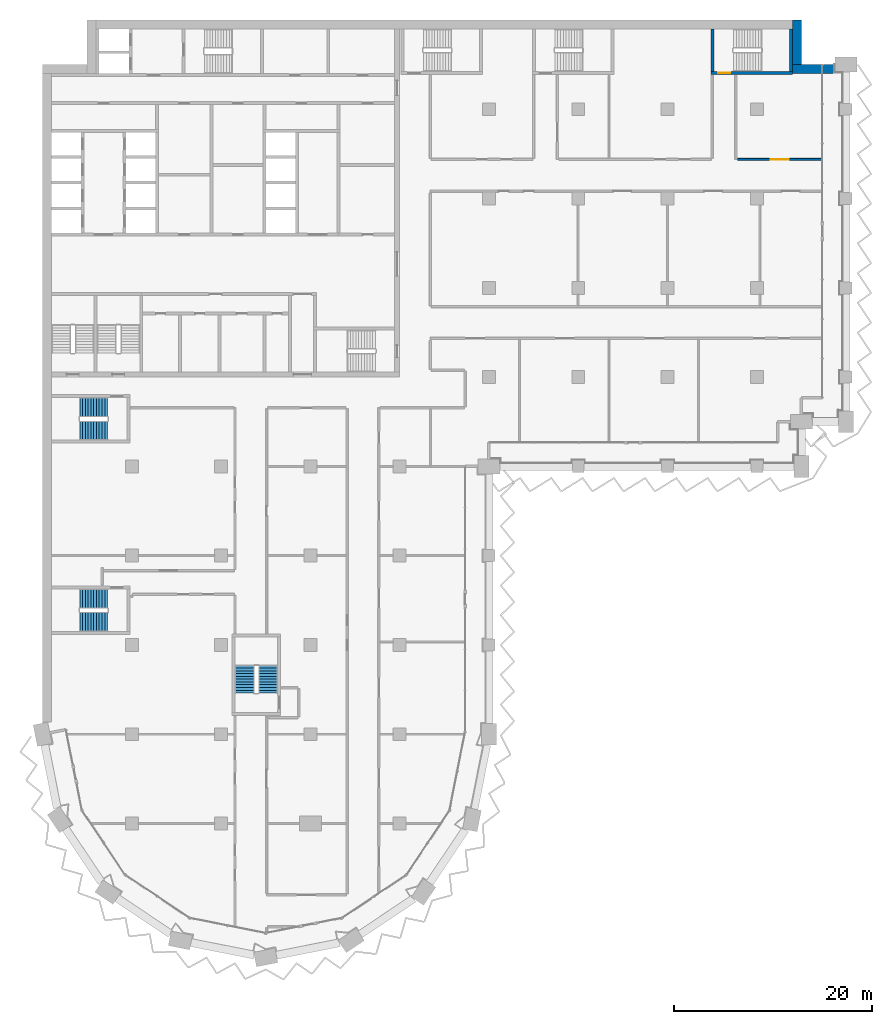
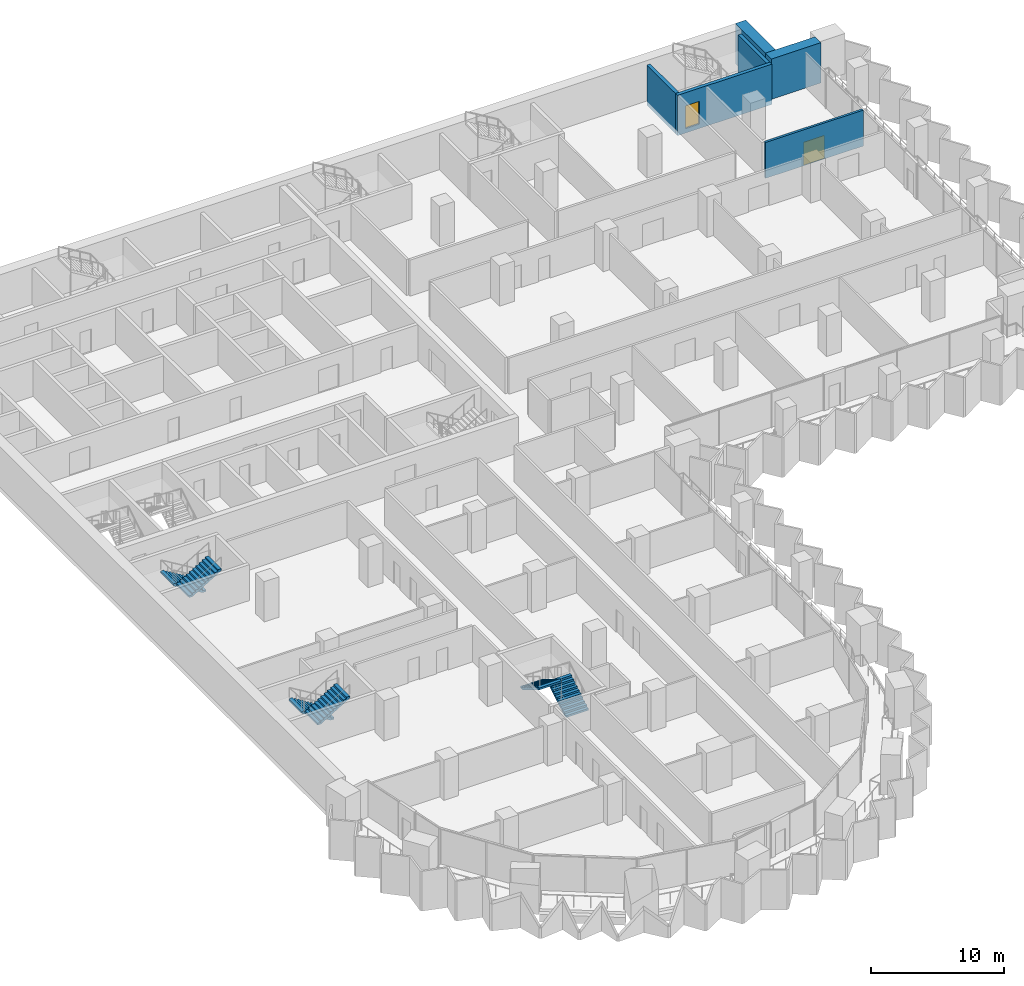
# One storey, part 15 of 22: 6 stair flights, 6 walls, 2 doors, 2 openings, 3 elements without a shape of their own.
"""IFC4 building model written with IfcOpenShell, lengths in metres."""

from ifc_helpers import new_model, si_unit, direction, frame, frame_2d, origin, place, context, subcontext, project, spatial, polyline, rectangle, outline, extrude, material, layer, layer_set, type_object, element, fill, aggregate, save


model = new_model("IFC4")

# Units and contexts
model_context = context("Model", 3, precision=1e-05, world=origin(), true_north=direction((0.0, 1.0)))
body_context = subcontext(model_context, "Body", "Model", "MODEL_VIEW")
ifc_project = project(units=[si_unit("LENGTHUNIT", "METRE"), si_unit("AREAUNIT", "SQUARE_METRE"), si_unit("VOLUMEUNIT", "CUBIC_METRE"), si_unit("PLANEANGLEUNIT", "RADIAN"), si_unit("MASSUNIT", "GRAM", prefix="KILO")], contexts=[model_context])

# Site, building, storey
site_placement = place(None, origin())
site = spatial("IfcSite", under=ifc_project, at=site_placement, CompositionType="ELEMENT")
building_placement = place(site_placement, origin())
building = spatial("IfcBuilding", under=site, at=building_placement, Name="Hunhe Ridgeline Campus", CompositionType="ELEMENT")
storey_placement = place(building_placement, frame((0.0, 0.0, 88.5)))
storey = spatial("IfcBuildingStorey", under=building, at=storey_placement, Name="L21", CompositionType="ELEMENT", Elevation=88.5)

# Wall, opening, door
ifc_material_1 = material(Name="Gypsum board partition")
ifc_layer_1 = layer(ifc_material_1, 0.199951171875)
ifc_layer_set_1 = layer_set([ifc_layer_1], Name="Corridor partition 200 gypsum board on steel studs")
wall_type_1 = type_object("IfcWallType", Name="Corridor partition 200 gypsum board on steel studs", PredefinedType="PARTITIONING", material=ifc_layer_set_1)
wall_1_placement = place(storey_placement, frame((70.056884765625, 84.949951171875, 0.0), z_axis=(0.0, 0.0, 1.0), x_axis=(1.0, 0.0, 0.0)))
wall_1 = element("IfcWall", 1, at=wall_1_placement, inside=storey, type_object=wall_type_1, Name="F-L21-wall-043", PredefinedType="PARTITIONING", context=body_context, shape_type="SweptSolid", body=[
    extrude(rectangle(XDim=8.488037109375, YDim=0.199951171875, at=frame_2d((4.244140625, 0.0))), origin(), (0.0, 0.0, 1.0), 3.300048828125),
])
opening_1_placement = place(wall_1_placement, frame((3.343994140625, 0.0, 0.0)))
opening_1 = element("IfcOpeningElement", 2, at=opening_1_placement, cuts=wall_1, Name="Opening RD2-036", PredefinedType="OPENING", context=body_context, shape_type="SweptSolid", body=[
    extrude(rectangle(XDim=1.800048828125, YDim=2.10009765625, at=frame_2d((0.89990234375, 1.050048828125))), frame((0.0, 0.10009765625, 0.0), z_axis=(0.0, -1.0, 0.0), x_axis=(1.0, 0.0, 0.0)), (0.0, 0.0, 1.0), 0.199951171875),
])
ifc_material_2 = material(Name="Timber door leaf", Category="wood")
door_type_1 = type_object("IfcDoorType", Name="Double fire door 1800x2100 timber FD60", OperationType="DOUBLE_DOOR_SINGLE_SWING", PredefinedType="DOOR", material=ifc_material_2)
door_1_placement = place(opening_1_placement, origin())
door_1 = element("IfcDoor", 3, at=door_1_placement, inside=storey, type_object=door_type_1, Name="F-L21-door-036", OperationType="DOUBLE_DOOR_SINGLE_SWING", OverallHeight=2.10009765625, OverallWidth=1.800048828125, PredefinedType="DOOR", context=body_context, shape_type="SweptSolid", body=[
    extrude(rectangle(XDim=1.800048828125, YDim=2.10009765625, at=frame_2d((0.89990234375, 1.050048828125))), frame((0.0, 0.02490234375, 0.0), z_axis=(0.0, -1.0, 0.0), x_axis=(1.0, 0.0, 0.0)), (0.0, 0.0, 1.0), 0.050048828125),
])
fill(opening_1, door_1)

# Walls
ifc_material_3 = material(Name="Concrete C70", Category="concrete")
ifc_layer_2 = layer(ifc_material_3, 0.89990234375)
ifc_layer_set_2 = layer_set([ifc_layer_2], Name="Spine wall 900 Concrete C70")
wall_type_2 = type_object("IfcWallType", Name="Spine wall 900 Concrete C70", PredefinedType="SHEAR", material=ifc_layer_set_2)
wall_2_placement = place(storey_placement, frame((79.89990234375, 94.050048828125, 0.0), z_axis=(0.0, 0.0, 1.0), x_axis=(-1.0, 0.0, 0.0)))
element("IfcWall", 4, at=wall_2_placement, inside=storey, type_object=wall_type_2, Name="Spine wall SW2-2 L21", PredefinedType="SHEAR", context=body_context, shape_type="SweptSolid", body=[
    extrude(rectangle(XDim=4.30029296875, YDim=0.89990234375, at=frame_2d((2.150146484375, 0.0))), origin(), (0.0, 0.0, 1.0), 3.699951171875),
])
wall_3_placement = place(storey_placement, frame((76.050048828125, 93.60009765625, 0.0), z_axis=(0.0, 0.0, 1.0), x_axis=(0.0, 1.0, 0.0)))
element("IfcWall", 5, at=wall_3_placement, inside=storey, type_object=wall_type_2, Name="Spine wall SW2-3 L21", PredefinedType="SHEAR", context=body_context, shape_type="SweptSolid", body=[
    extrude(rectangle(XDim=5.39990234375, YDim=0.89990234375, at=frame_2d((2.699951171875, 0.0))), origin(), (0.0, 0.0, 1.0), 3.699951171875),
])

# Wall, opening, door
ifc_material_4 = material(Name="Concrete C80", Category="concrete")
ifc_layer_3 = layer(ifc_material_4, 0.300048828125)
ifc_layer_set_3 = layer_set([ifc_layer_3], Name="Stair wall 300 reinforced concrete C80")
wall_type_3 = type_object("IfcWallType", Name="Stair wall 300 reinforced concrete C80", PredefinedType="SOLIDWALL", material=ifc_layer_set_3)
wall_4_placement = place(storey_placement, frame((67.39990234375, 93.64990234375, -0.39990234375), z_axis=(0.0, 0.0, 1.0), x_axis=(1.0, 0.0, 0.0)))
wall_4 = element("IfcWall", 6, at=wall_4_placement, inside=storey, type_object=wall_type_3, Name="L21 core wall 32", PredefinedType="SOLIDWALL", context=body_context, shape_type="SweptSolid", body=[
    extrude(rectangle(XDim=8.2001953125, YDim=0.300048828125, at=frame_2d((4.10009765625, 0.0))), origin(), (0.0, 0.0, 1.0), 3.699951171875),
])
opening_2_placement = place(wall_4_placement, frame((0.699951171875, 0.0, 0.39990234375)))
opening_2 = element("IfcOpeningElement", 7, at=opening_2_placement, cuts=wall_4, Name="Opening CD19", PredefinedType="OPENING", context=body_context, shape_type="SweptSolid", body=[
    extrude(rectangle(XDim=1.199951171875, YDim=2.10009765625, at=frame_2d((0.60009765625, 1.050048828125))), frame((0.0, 0.14990234375, 0.0), z_axis=(0.0, -1.0, 0.0), x_axis=(1.0, 0.0, 0.0)), (0.0, 0.0, 1.0), 0.300048828125),
])
ifc_material_5 = material(Name="Hollow metal fire door leaf")
door_type_2 = type_object("IfcDoorType", Name="Stair door 1200x2100 FD60", OperationType="SINGLE_SWING_LEFT", PredefinedType="DOOR", material=ifc_material_5)
door_2_placement = place(opening_2_placement, frame((1.199951171875, 0.0, 0.0), z_axis=(0.0, 0.0, 1.0), x_axis=(-1.0, 0.0, 0.0)))
door_2 = element("IfcDoor", 8, at=door_2_placement, inside=storey, type_object=door_type_2, Name="L21 door E3", OperationType="SINGLE_SWING_RIGHT", OverallHeight=2.10009765625, OverallWidth=1.199951171875, PredefinedType="DOOR", context=body_context, shape_type="SweptSolid", body=[
    extrude(rectangle(XDim=1.199951171875, YDim=2.10009765625, at=frame_2d((0.60009765625, 1.050048828125))), frame((0.0, 0.02490234375, 0.0), z_axis=(0.0, -1.0, 0.0), x_axis=(1.0, 0.0, 0.0)), (0.0, 0.0, 1.0), 0.050048828125),
])
fill(opening_2, door_2)

# Walls
for number, where, z_axis, x_axis, name in (
    (9, (67.550048828125, 93.800048828125, -0.39990234375), (0.0, 0.0, 1.0), (0.0, 1.0, 0.0), "L21 core wall 66"),
    (10, (75.449951171875, 93.800048828125, -0.39990234375), (0.0, 0.0, 1.0), (0.0, 1.0, 0.0), "L21 core wall 67"),
):
    element("IfcWall", number, at=place(storey_placement, frame(where, z_axis=z_axis, x_axis=x_axis)), inside=storey, type_object=wall_type_3, Name=name, PredefinedType="SOLIDWALL", context=body_context, shape_type="SweptSolid", body=[
        extrude(rectangle(XDim=4.300048828125, YDim=0.300048828125, at=frame_2d((2.14990234375, 0.0))), origin(), (0.0, 0.0, 1.0), 3.699951171875),
    ])

# Stair, stair flights
ifc_material_6 = material(Name="Concrete C40", Category="concrete")
stair_type = type_object("IfcStairType", Name="Reinforced concrete dog-leg stair 1950 Concrete C40", PredefinedType="HALF_TURN_STAIR", material=ifc_material_6)
stair_1_placement = place(storey_placement, origin())
stair_1 = element("IfcStair", 11, at=stair_1_placement, inside=storey, type_object=stair_type, Name="L21 W3", PredefinedType="HALF_TURN_STAIR")
stair_flight_type = type_object("IfcStairFlightType", Name="Reinforced concrete stair flight 1950 Concrete C40", PredefinedType="STRAIGHT", material=ifc_material_6)
stair_flight_1_placement = place(storey_placement, frame((22.72509765625, 31.14990234375, 0.0), z_axis=(0.0, 0.0, 1.0), x_axis=(0.0, 1.0, 0.0)))
stair_flight_1 = element("IfcStairFlight", 12, at=stair_flight_1_placement, type_object=stair_flight_type, Name="ST9 flight 1", NumberOfRisers=11, NumberOfTreads=10, PredefinedType="STRAIGHT", RiserHeight=0.168181818, TreadLength=0.28, context=body_context, shape_type="SweptSolid", body=[
    extrude(outline(polyline([(0.0, 0.0), (0.0, 0.168212890625), (0.280029296875, 0.168212890625), (0.280029296875, 0.33642578125), (0.56005859375, 0.33642578125), (0.56005859375, 0.504638671875), (0.840087890625, 0.504638671875), (0.840087890625, 0.672607421875), (1.1201171875, 0.672607421875), (1.1201171875, 0.8408203125), (1.39990234375, 0.8408203125), (1.39990234375, 1.009033203125), (1.679931640625, 1.009033203125), (1.679931640625, 1.17724609375), (1.9599609375, 1.17724609375), (1.9599609375, 1.345458984375), (2.239990234375, 1.345458984375), (2.239990234375, 1.513671875), (2.52001953125, 1.513671875), (2.52001953125, 1.681884765625), (2.800048828125, 1.681884765625), (2.800048828125, 1.85009765625), (2.800048828125, 1.5068359375), (0.291015625, 0.0), (0.0, 0.0)])), frame((0.0, 0.97509765625, 0.0), z_axis=(0.0, -1.0, 0.0), x_axis=(1.0, 0.0, 0.0)), (0.0, 0.0, 1.0), 1.949951171875),
    extrude(outline(polyline([(0.030029296875, 0.030029296875), (0.030029296875, 0.13818359375), (0.31005859375, 0.13818359375), (0.31005859375, 0.306396484375), (0.590087890625, 0.306396484375), (0.590087890625, 0.474609375), (0.8701171875, 0.474609375), (0.8701171875, 0.642578125), (1.14990234375, 0.642578125), (1.14990234375, 0.810791015625), (1.429931640625, 0.810791015625), (1.429931640625, 0.97900390625), (1.7099609375, 0.97900390625), (1.7099609375, 1.147216796875), (1.989990234375, 1.147216796875), (1.989990234375, 1.3154296875), (2.27001953125, 1.3154296875), (2.27001953125, 1.483642578125), (2.550048828125, 1.483642578125), (2.550048828125, 1.65185546875), (2.77001953125, 1.65185546875), (2.77001953125, 1.52392578125), (0.28271484375, 0.030029296875), (0.030029296875, 0.030029296875)])), frame((0.0, -0.070068359375, 0.0), z_axis=(0.0, -1.0, 0.0), x_axis=(1.0, 0.0, 0.0)), (0.0, 0.0, 1.0), 0.019775390625),
    extrude(outline(polyline([(0.030029296875, 0.030029296875), (0.030029296875, 0.13818359375), (0.31005859375, 0.13818359375), (0.31005859375, 0.306396484375), (0.590087890625, 0.306396484375), (0.590087890625, 0.474609375), (0.8701171875, 0.474609375), (0.8701171875, 0.642578125), (1.14990234375, 0.642578125), (1.14990234375, 0.810791015625), (1.429931640625, 0.810791015625), (1.429931640625, 0.97900390625), (1.7099609375, 0.97900390625), (1.7099609375, 1.147216796875), (1.989990234375, 1.147216796875), (1.989990234375, 1.3154296875), (2.27001953125, 1.3154296875), (2.27001953125, 1.483642578125), (2.550048828125, 1.483642578125), (2.550048828125, 1.65185546875), (2.77001953125, 1.65185546875), (2.77001953125, 1.52392578125), (0.28271484375, 0.030029296875), (0.030029296875, 0.030029296875)])), frame((0.0, 0.010009765625, 0.0), z_axis=(0.0, -1.0, 0.0), x_axis=(1.0, 0.0, 0.0)), (0.0, 0.0, 1.0), 0.019775390625),
    extrude(outline(polyline([(0.030029296875, 0.030029296875), (0.030029296875, 0.13818359375), (0.31005859375, 0.13818359375), (0.31005859375, 0.306396484375), (0.590087890625, 0.306396484375), (0.590087890625, 0.474609375), (0.8701171875, 0.474609375), (0.8701171875, 0.642578125), (1.14990234375, 0.642578125), (1.14990234375, 0.810791015625), (1.429931640625, 0.810791015625), (1.429931640625, 0.97900390625), (1.7099609375, 0.97900390625), (1.7099609375, 1.147216796875), (1.989990234375, 1.147216796875), (1.989990234375, 1.3154296875), (2.27001953125, 1.3154296875), (2.27001953125, 1.483642578125), (2.550048828125, 1.483642578125), (2.550048828125, 1.65185546875), (2.77001953125, 1.65185546875), (2.77001953125, 1.52392578125), (0.28271484375, 0.030029296875), (0.030029296875, 0.030029296875)])), frame((0.0, 0.090087890625, 0.0), z_axis=(0.0, -1.0, 0.0), x_axis=(1.0, 0.0, 0.0)), (0.0, 0.0, 1.0), 0.019775390625),
])
stair_flight_2_placement = place(storey_placement, frame((20.375, 33.949951171875, 1.85009765625), z_axis=(0.0, 0.0, 1.0), x_axis=(0.0, -1.0, 0.0)))
stair_flight_2 = element("IfcStairFlight", 13, at=stair_flight_2_placement, type_object=stair_flight_type, Name="ST9 flight 2", NumberOfRisers=11, NumberOfTreads=10, PredefinedType="STRAIGHT", RiserHeight=0.168181818, TreadLength=0.28, context=body_context, shape_type="SweptSolid", body=[
    extrude(outline(polyline([(0.0, 0.0), (0.0, 0.168212890625), (0.280029296875, 0.168212890625), (0.280029296875, 0.33642578125), (0.56005859375, 0.33642578125), (0.56005859375, 0.504638671875), (0.840087890625, 0.504638671875), (0.840087890625, 0.672607421875), (1.1201171875, 0.672607421875), (1.1201171875, 0.8408203125), (1.39990234375, 0.8408203125), (1.39990234375, 1.009033203125), (1.679931640625, 1.009033203125), (1.679931640625, 1.17724609375), (1.9599609375, 1.17724609375), (1.9599609375, 1.345458984375), (2.239990234375, 1.345458984375), (2.239990234375, 1.513671875), (2.52001953125, 1.513671875), (2.52001953125, 1.681884765625), (2.800048828125, 1.681884765625), (2.800048828125, 1.85009765625), (2.800048828125, 1.5068359375), (0.291015625, 0.0), (0.0, 0.0)])), frame((0.0, 0.97509765625, 0.0), z_axis=(0.0, -1.0, 0.0), x_axis=(1.0, 0.0, 0.0)), (0.0, 0.0, 1.0), 1.949951171875),
    extrude(outline(polyline([(0.030029296875, 0.030029296875), (0.030029296875, 0.13818359375), (0.31005859375, 0.13818359375), (0.31005859375, 0.306396484375), (0.590087890625, 0.306396484375), (0.590087890625, 0.474609375), (0.8701171875, 0.474609375), (0.8701171875, 0.642578125), (1.14990234375, 0.642578125), (1.14990234375, 0.810791015625), (1.429931640625, 0.810791015625), (1.429931640625, 0.97900390625), (1.7099609375, 0.97900390625), (1.7099609375, 1.147216796875), (1.989990234375, 1.147216796875), (1.989990234375, 1.3154296875), (2.27001953125, 1.3154296875), (2.27001953125, 1.483642578125), (2.550048828125, 1.483642578125), (2.550048828125, 1.65185546875), (2.77001953125, 1.65185546875), (2.77001953125, 1.52392578125), (0.28271484375, 0.030029296875), (0.030029296875, 0.030029296875)])), frame((0.0, -0.070068359375, 0.0), z_axis=(0.0, -1.0, 0.0), x_axis=(1.0, 0.0, 0.0)), (0.0, 0.0, 1.0), 0.019775390625),
    extrude(outline(polyline([(0.030029296875, 0.030029296875), (0.030029296875, 0.13818359375), (0.31005859375, 0.13818359375), (0.31005859375, 0.306396484375), (0.590087890625, 0.306396484375), (0.590087890625, 0.474609375), (0.8701171875, 0.474609375), (0.8701171875, 0.642578125), (1.14990234375, 0.642578125), (1.14990234375, 0.810791015625), (1.429931640625, 0.810791015625), (1.429931640625, 0.97900390625), (1.7099609375, 0.97900390625), (1.7099609375, 1.147216796875), (1.989990234375, 1.147216796875), (1.989990234375, 1.3154296875), (2.27001953125, 1.3154296875), (2.27001953125, 1.483642578125), (2.550048828125, 1.483642578125), (2.550048828125, 1.65185546875), (2.77001953125, 1.65185546875), (2.77001953125, 1.52392578125), (0.28271484375, 0.030029296875), (0.030029296875, 0.030029296875)])), frame((0.0, 0.010009765625, 0.0), z_axis=(0.0, -1.0, 0.0), x_axis=(1.0, 0.0, 0.0)), (0.0, 0.0, 1.0), 0.019775390625),
    extrude(outline(polyline([(0.030029296875, 0.030029296875), (0.030029296875, 0.13818359375), (0.31005859375, 0.13818359375), (0.31005859375, 0.306396484375), (0.590087890625, 0.306396484375), (0.590087890625, 0.474609375), (0.8701171875, 0.474609375), (0.8701171875, 0.642578125), (1.14990234375, 0.642578125), (1.14990234375, 0.810791015625), (1.429931640625, 0.810791015625), (1.429931640625, 0.97900390625), (1.7099609375, 0.97900390625), (1.7099609375, 1.147216796875), (1.989990234375, 1.147216796875), (1.989990234375, 1.3154296875), (2.27001953125, 1.3154296875), (2.27001953125, 1.483642578125), (2.550048828125, 1.483642578125), (2.550048828125, 1.65185546875), (2.77001953125, 1.65185546875), (2.77001953125, 1.52392578125), (0.28271484375, 0.030029296875), (0.030029296875, 0.030029296875)])), frame((0.0, 0.090087890625, 0.0), z_axis=(0.0, -1.0, 0.0), x_axis=(1.0, 0.0, 0.0)), (0.0, 0.0, 1.0), 0.019775390625),
])
aggregate(stair_1, [stair_flight_1, stair_flight_2])

stair_2_placement = place(storey_placement, origin())
stair_2 = element("IfcStair", 14, at=stair_2_placement, inside=storey, type_object=stair_type, Name="L21 W1", PredefinedType="HALF_TURN_STAIR")
stair_flight_3_placement = place(storey_placement, frame((6.550048828125, 40.675048828125, 0.0), z_axis=(0.0, 0.0, 1.0), x_axis=(-1.0, 0.0, 0.0)))
stair_flight_3 = element("IfcStairFlight", 15, at=stair_flight_3_placement, type_object=stair_flight_type, Name="ST11 flight 1", NumberOfRisers=11, NumberOfTreads=10, PredefinedType="STRAIGHT", RiserHeight=0.168181818, TreadLength=0.28, context=body_context, shape_type="SweptSolid", body=[
    extrude(outline(polyline([(0.0, 0.0), (0.0, 0.168212890625), (0.280029296875, 0.168212890625), (0.280029296875, 0.33642578125), (0.56005859375, 0.33642578125), (0.56005859375, 0.504638671875), (0.840087890625, 0.504638671875), (0.840087890625, 0.672607421875), (1.1201171875, 0.672607421875), (1.1201171875, 0.8408203125), (1.39990234375, 0.8408203125), (1.39990234375, 1.009033203125), (1.679931640625, 1.009033203125), (1.679931640625, 1.17724609375), (1.9599609375, 1.17724609375), (1.9599609375, 1.345458984375), (2.239990234375, 1.345458984375), (2.239990234375, 1.513671875), (2.52001953125, 1.513671875), (2.52001953125, 1.681884765625), (2.800048828125, 1.681884765625), (2.800048828125, 1.85009765625), (2.800048828125, 1.5068359375), (0.291015625, 0.0), (0.0, 0.0)])), frame((0.0, 0.97509765625, 0.0), z_axis=(0.0, -1.0, 0.0), x_axis=(1.0, 0.0, 0.0)), (0.0, 0.0, 1.0), 1.949951171875),
    extrude(outline(polyline([(0.030029296875, 0.030029296875), (0.030029296875, 0.13818359375), (0.31005859375, 0.13818359375), (0.31005859375, 0.306396484375), (0.590087890625, 0.306396484375), (0.590087890625, 0.474609375), (0.8701171875, 0.474609375), (0.8701171875, 0.642578125), (1.14990234375, 0.642578125), (1.14990234375, 0.810791015625), (1.429931640625, 0.810791015625), (1.429931640625, 0.97900390625), (1.7099609375, 0.97900390625), (1.7099609375, 1.147216796875), (1.989990234375, 1.147216796875), (1.989990234375, 1.3154296875), (2.27001953125, 1.3154296875), (2.27001953125, 1.483642578125), (2.550048828125, 1.483642578125), (2.550048828125, 1.65185546875), (2.77001953125, 1.65185546875), (2.77001953125, 1.52392578125), (0.28271484375, 0.030029296875), (0.030029296875, 0.030029296875)])), frame((0.0, -0.070068359375, 0.0), z_axis=(0.0, -1.0, 0.0), x_axis=(1.0, 0.0, 0.0)), (0.0, 0.0, 1.0), 0.019775390625),
    extrude(outline(polyline([(0.030029296875, 0.030029296875), (0.030029296875, 0.13818359375), (0.31005859375, 0.13818359375), (0.31005859375, 0.306396484375), (0.590087890625, 0.306396484375), (0.590087890625, 0.474609375), (0.8701171875, 0.474609375), (0.8701171875, 0.642578125), (1.14990234375, 0.642578125), (1.14990234375, 0.810791015625), (1.429931640625, 0.810791015625), (1.429931640625, 0.97900390625), (1.7099609375, 0.97900390625), (1.7099609375, 1.147216796875), (1.989990234375, 1.147216796875), (1.989990234375, 1.3154296875), (2.27001953125, 1.3154296875), (2.27001953125, 1.483642578125), (2.550048828125, 1.483642578125), (2.550048828125, 1.65185546875), (2.77001953125, 1.65185546875), (2.77001953125, 1.52392578125), (0.28271484375, 0.030029296875), (0.030029296875, 0.030029296875)])), frame((0.0, 0.010009765625, 0.0), z_axis=(0.0, -1.0, 0.0), x_axis=(1.0, 0.0, 0.0)), (0.0, 0.0, 1.0), 0.019775390625),
    extrude(outline(polyline([(0.030029296875, 0.030029296875), (0.030029296875, 0.13818359375), (0.31005859375, 0.13818359375), (0.31005859375, 0.306396484375), (0.590087890625, 0.306396484375), (0.590087890625, 0.474609375), (0.8701171875, 0.474609375), (0.8701171875, 0.642578125), (1.14990234375, 0.642578125), (1.14990234375, 0.810791015625), (1.429931640625, 0.810791015625), (1.429931640625, 0.97900390625), (1.7099609375, 0.97900390625), (1.7099609375, 1.147216796875), (1.989990234375, 1.147216796875), (1.989990234375, 1.3154296875), (2.27001953125, 1.3154296875), (2.27001953125, 1.483642578125), (2.550048828125, 1.483642578125), (2.550048828125, 1.65185546875), (2.77001953125, 1.65185546875), (2.77001953125, 1.52392578125), (0.28271484375, 0.030029296875), (0.030029296875, 0.030029296875)])), frame((0.0, 0.090087890625, 0.0), z_axis=(0.0, -1.0, 0.0), x_axis=(1.0, 0.0, 0.0)), (0.0, 0.0, 1.0), 0.019775390625),
])
stair_flight_4_placement = place(storey_placement, frame((3.75, 38.324951171875, 1.85009765625), z_axis=(0.0, 0.0, 1.0), x_axis=(1.0, 0.0, 0.0)))
stair_flight_4 = element("IfcStairFlight", 16, at=stair_flight_4_placement, type_object=stair_flight_type, Name="ST11 flight 2", NumberOfRisers=11, NumberOfTreads=10, PredefinedType="STRAIGHT", RiserHeight=0.168181818, TreadLength=0.28, context=body_context, shape_type="SweptSolid", body=[
    extrude(outline(polyline([(0.0, 0.0), (0.0, 0.168212890625), (0.280029296875, 0.168212890625), (0.280029296875, 0.33642578125), (0.56005859375, 0.33642578125), (0.56005859375, 0.504638671875), (0.840087890625, 0.504638671875), (0.840087890625, 0.672607421875), (1.1201171875, 0.672607421875), (1.1201171875, 0.8408203125), (1.39990234375, 0.8408203125), (1.39990234375, 1.009033203125), (1.679931640625, 1.009033203125), (1.679931640625, 1.17724609375), (1.9599609375, 1.17724609375), (1.9599609375, 1.345458984375), (2.239990234375, 1.345458984375), (2.239990234375, 1.513671875), (2.52001953125, 1.513671875), (2.52001953125, 1.681884765625), (2.800048828125, 1.681884765625), (2.800048828125, 1.85009765625), (2.800048828125, 1.5068359375), (0.291015625, 0.0), (0.0, 0.0)])), frame((0.0, 0.97509765625, 0.0), z_axis=(0.0, -1.0, 0.0), x_axis=(1.0, 0.0, 0.0)), (0.0, 0.0, 1.0), 1.949951171875),
    extrude(outline(polyline([(0.030029296875, 0.030029296875), (0.030029296875, 0.13818359375), (0.31005859375, 0.13818359375), (0.31005859375, 0.306396484375), (0.590087890625, 0.306396484375), (0.590087890625, 0.474609375), (0.8701171875, 0.474609375), (0.8701171875, 0.642578125), (1.14990234375, 0.642578125), (1.14990234375, 0.810791015625), (1.429931640625, 0.810791015625), (1.429931640625, 0.97900390625), (1.7099609375, 0.97900390625), (1.7099609375, 1.147216796875), (1.989990234375, 1.147216796875), (1.989990234375, 1.3154296875), (2.27001953125, 1.3154296875), (2.27001953125, 1.483642578125), (2.550048828125, 1.483642578125), (2.550048828125, 1.65185546875), (2.77001953125, 1.65185546875), (2.77001953125, 1.52392578125), (0.28271484375, 0.030029296875), (0.030029296875, 0.030029296875)])), frame((0.0, -0.070068359375, 0.0), z_axis=(0.0, -1.0, 0.0), x_axis=(1.0, 0.0, 0.0)), (0.0, 0.0, 1.0), 0.019775390625),
    extrude(outline(polyline([(0.030029296875, 0.030029296875), (0.030029296875, 0.13818359375), (0.31005859375, 0.13818359375), (0.31005859375, 0.306396484375), (0.590087890625, 0.306396484375), (0.590087890625, 0.474609375), (0.8701171875, 0.474609375), (0.8701171875, 0.642578125), (1.14990234375, 0.642578125), (1.14990234375, 0.810791015625), (1.429931640625, 0.810791015625), (1.429931640625, 0.97900390625), (1.7099609375, 0.97900390625), (1.7099609375, 1.147216796875), (1.989990234375, 1.147216796875), (1.989990234375, 1.3154296875), (2.27001953125, 1.3154296875), (2.27001953125, 1.483642578125), (2.550048828125, 1.483642578125), (2.550048828125, 1.65185546875), (2.77001953125, 1.65185546875), (2.77001953125, 1.52392578125), (0.28271484375, 0.030029296875), (0.030029296875, 0.030029296875)])), frame((0.0, 0.010009765625, 0.0), z_axis=(0.0, -1.0, 0.0), x_axis=(1.0, 0.0, 0.0)), (0.0, 0.0, 1.0), 0.019775390625),
    extrude(outline(polyline([(0.030029296875, 0.030029296875), (0.030029296875, 0.13818359375), (0.31005859375, 0.13818359375), (0.31005859375, 0.306396484375), (0.590087890625, 0.306396484375), (0.590087890625, 0.474609375), (0.8701171875, 0.474609375), (0.8701171875, 0.642578125), (1.14990234375, 0.642578125), (1.14990234375, 0.810791015625), (1.429931640625, 0.810791015625), (1.429931640625, 0.97900390625), (1.7099609375, 0.97900390625), (1.7099609375, 1.147216796875), (1.989990234375, 1.147216796875), (1.989990234375, 1.3154296875), (2.27001953125, 1.3154296875), (2.27001953125, 1.483642578125), (2.550048828125, 1.483642578125), (2.550048828125, 1.65185546875), (2.77001953125, 1.65185546875), (2.77001953125, 1.52392578125), (0.28271484375, 0.030029296875), (0.030029296875, 0.030029296875)])), frame((0.0, 0.090087890625, 0.0), z_axis=(0.0, -1.0, 0.0), x_axis=(1.0, 0.0, 0.0)), (0.0, 0.0, 1.0), 0.019775390625),
])
aggregate(stair_2, [stair_flight_3, stair_flight_4])

stair_3_placement = place(storey_placement, origin())
stair_3 = element("IfcStair", 17, at=stair_3_placement, inside=storey, type_object=stair_type, Name="L21 W2", PredefinedType="HALF_TURN_STAIR")
stair_flight_5_placement = place(storey_placement, frame((6.550048828125, 59.97509765625, 0.0), z_axis=(0.0, 0.0, 1.0), x_axis=(-1.0, 0.0, 0.0)))
stair_flight_5 = element("IfcStairFlight", 18, at=stair_flight_5_placement, type_object=stair_flight_type, Name="ST12 flight 1", NumberOfRisers=11, NumberOfTreads=10, PredefinedType="STRAIGHT", RiserHeight=0.168181818, TreadLength=0.28, context=body_context, shape_type="SweptSolid", body=[
    extrude(outline(polyline([(0.0, 0.0), (0.0, 0.168212890625), (0.280029296875, 0.168212890625), (0.280029296875, 0.33642578125), (0.56005859375, 0.33642578125), (0.56005859375, 0.504638671875), (0.840087890625, 0.504638671875), (0.840087890625, 0.672607421875), (1.1201171875, 0.672607421875), (1.1201171875, 0.8408203125), (1.39990234375, 0.8408203125), (1.39990234375, 1.009033203125), (1.679931640625, 1.009033203125), (1.679931640625, 1.17724609375), (1.9599609375, 1.17724609375), (1.9599609375, 1.345458984375), (2.239990234375, 1.345458984375), (2.239990234375, 1.513671875), (2.52001953125, 1.513671875), (2.52001953125, 1.681884765625), (2.800048828125, 1.681884765625), (2.800048828125, 1.85009765625), (2.800048828125, 1.5068359375), (0.291015625, 0.0), (0.0, 0.0)])), frame((0.0, 0.97509765625, 0.0), z_axis=(0.0, -1.0, 0.0), x_axis=(1.0, 0.0, 0.0)), (0.0, 0.0, 1.0), 1.949951171875),
    extrude(outline(polyline([(0.030029296875, 0.030029296875), (0.030029296875, 0.13818359375), (0.31005859375, 0.13818359375), (0.31005859375, 0.306396484375), (0.590087890625, 0.306396484375), (0.590087890625, 0.474609375), (0.8701171875, 0.474609375), (0.8701171875, 0.642578125), (1.14990234375, 0.642578125), (1.14990234375, 0.810791015625), (1.429931640625, 0.810791015625), (1.429931640625, 0.97900390625), (1.7099609375, 0.97900390625), (1.7099609375, 1.147216796875), (1.989990234375, 1.147216796875), (1.989990234375, 1.3154296875), (2.27001953125, 1.3154296875), (2.27001953125, 1.483642578125), (2.550048828125, 1.483642578125), (2.550048828125, 1.65185546875), (2.77001953125, 1.65185546875), (2.77001953125, 1.52392578125), (0.28271484375, 0.030029296875), (0.030029296875, 0.030029296875)])), frame((0.0, -0.070068359375, 0.0), z_axis=(0.0, -1.0, 0.0), x_axis=(1.0, 0.0, 0.0)), (0.0, 0.0, 1.0), 0.019775390625),
    extrude(outline(polyline([(0.030029296875, 0.030029296875), (0.030029296875, 0.13818359375), (0.31005859375, 0.13818359375), (0.31005859375, 0.306396484375), (0.590087890625, 0.306396484375), (0.590087890625, 0.474609375), (0.8701171875, 0.474609375), (0.8701171875, 0.642578125), (1.14990234375, 0.642578125), (1.14990234375, 0.810791015625), (1.429931640625, 0.810791015625), (1.429931640625, 0.97900390625), (1.7099609375, 0.97900390625), (1.7099609375, 1.147216796875), (1.989990234375, 1.147216796875), (1.989990234375, 1.3154296875), (2.27001953125, 1.3154296875), (2.27001953125, 1.483642578125), (2.550048828125, 1.483642578125), (2.550048828125, 1.65185546875), (2.77001953125, 1.65185546875), (2.77001953125, 1.52392578125), (0.28271484375, 0.030029296875), (0.030029296875, 0.030029296875)])), frame((0.0, 0.010009765625, 0.0), z_axis=(0.0, -1.0, 0.0), x_axis=(1.0, 0.0, 0.0)), (0.0, 0.0, 1.0), 0.019775390625),
    extrude(outline(polyline([(0.030029296875, 0.030029296875), (0.030029296875, 0.13818359375), (0.31005859375, 0.13818359375), (0.31005859375, 0.306396484375), (0.590087890625, 0.306396484375), (0.590087890625, 0.474609375), (0.8701171875, 0.474609375), (0.8701171875, 0.642578125), (1.14990234375, 0.642578125), (1.14990234375, 0.810791015625), (1.429931640625, 0.810791015625), (1.429931640625, 0.97900390625), (1.7099609375, 0.97900390625), (1.7099609375, 1.147216796875), (1.989990234375, 1.147216796875), (1.989990234375, 1.3154296875), (2.27001953125, 1.3154296875), (2.27001953125, 1.483642578125), (2.550048828125, 1.483642578125), (2.550048828125, 1.65185546875), (2.77001953125, 1.65185546875), (2.77001953125, 1.52392578125), (0.28271484375, 0.030029296875), (0.030029296875, 0.030029296875)])), frame((0.0, 0.090087890625, 0.0), z_axis=(0.0, -1.0, 0.0), x_axis=(1.0, 0.0, 0.0)), (0.0, 0.0, 1.0), 0.019775390625),
])
stair_flight_6_placement = place(storey_placement, frame((3.75, 57.625, 1.85009765625), z_axis=(0.0, 0.0, 1.0), x_axis=(1.0, 0.0, 0.0)))
stair_flight_6 = element("IfcStairFlight", 19, at=stair_flight_6_placement, type_object=stair_flight_type, Name="ST12 flight 2", NumberOfRisers=11, NumberOfTreads=10, PredefinedType="STRAIGHT", RiserHeight=0.168181818, TreadLength=0.28, context=body_context, shape_type="SweptSolid", body=[
    extrude(outline(polyline([(0.0, 0.0), (0.0, 0.168212890625), (0.280029296875, 0.168212890625), (0.280029296875, 0.33642578125), (0.56005859375, 0.33642578125), (0.56005859375, 0.504638671875), (0.840087890625, 0.504638671875), (0.840087890625, 0.672607421875), (1.1201171875, 0.672607421875), (1.1201171875, 0.8408203125), (1.39990234375, 0.8408203125), (1.39990234375, 1.009033203125), (1.679931640625, 1.009033203125), (1.679931640625, 1.17724609375), (1.9599609375, 1.17724609375), (1.9599609375, 1.345458984375), (2.239990234375, 1.345458984375), (2.239990234375, 1.513671875), (2.52001953125, 1.513671875), (2.52001953125, 1.681884765625), (2.800048828125, 1.681884765625), (2.800048828125, 1.85009765625), (2.800048828125, 1.5068359375), (0.291015625, 0.0), (0.0, 0.0)])), frame((0.0, 0.97509765625, 0.0), z_axis=(0.0, -1.0, 0.0), x_axis=(1.0, 0.0, 0.0)), (0.0, 0.0, 1.0), 1.949951171875),
    extrude(outline(polyline([(0.030029296875, 0.030029296875), (0.030029296875, 0.13818359375), (0.31005859375, 0.13818359375), (0.31005859375, 0.306396484375), (0.590087890625, 0.306396484375), (0.590087890625, 0.474609375), (0.8701171875, 0.474609375), (0.8701171875, 0.642578125), (1.14990234375, 0.642578125), (1.14990234375, 0.810791015625), (1.429931640625, 0.810791015625), (1.429931640625, 0.97900390625), (1.7099609375, 0.97900390625), (1.7099609375, 1.147216796875), (1.989990234375, 1.147216796875), (1.989990234375, 1.3154296875), (2.27001953125, 1.3154296875), (2.27001953125, 1.483642578125), (2.550048828125, 1.483642578125), (2.550048828125, 1.65185546875), (2.77001953125, 1.65185546875), (2.77001953125, 1.52392578125), (0.28271484375, 0.030029296875), (0.030029296875, 0.030029296875)])), frame((0.0, -0.070068359375, 0.0), z_axis=(0.0, -1.0, 0.0), x_axis=(1.0, 0.0, 0.0)), (0.0, 0.0, 1.0), 0.019775390625),
    extrude(outline(polyline([(0.030029296875, 0.030029296875), (0.030029296875, 0.13818359375), (0.31005859375, 0.13818359375), (0.31005859375, 0.306396484375), (0.590087890625, 0.306396484375), (0.590087890625, 0.474609375), (0.8701171875, 0.474609375), (0.8701171875, 0.642578125), (1.14990234375, 0.642578125), (1.14990234375, 0.810791015625), (1.429931640625, 0.810791015625), (1.429931640625, 0.97900390625), (1.7099609375, 0.97900390625), (1.7099609375, 1.147216796875), (1.989990234375, 1.147216796875), (1.989990234375, 1.3154296875), (2.27001953125, 1.3154296875), (2.27001953125, 1.483642578125), (2.550048828125, 1.483642578125), (2.550048828125, 1.65185546875), (2.77001953125, 1.65185546875), (2.77001953125, 1.52392578125), (0.28271484375, 0.030029296875), (0.030029296875, 0.030029296875)])), frame((0.0, 0.010009765625, 0.0), z_axis=(0.0, -1.0, 0.0), x_axis=(1.0, 0.0, 0.0)), (0.0, 0.0, 1.0), 0.019775390625),
    extrude(outline(polyline([(0.030029296875, 0.030029296875), (0.030029296875, 0.13818359375), (0.31005859375, 0.13818359375), (0.31005859375, 0.306396484375), (0.590087890625, 0.306396484375), (0.590087890625, 0.474609375), (0.8701171875, 0.474609375), (0.8701171875, 0.642578125), (1.14990234375, 0.642578125), (1.14990234375, 0.810791015625), (1.429931640625, 0.810791015625), (1.429931640625, 0.97900390625), (1.7099609375, 0.97900390625), (1.7099609375, 1.147216796875), (1.989990234375, 1.147216796875), (1.989990234375, 1.3154296875), (2.27001953125, 1.3154296875), (2.27001953125, 1.483642578125), (2.550048828125, 1.483642578125), (2.550048828125, 1.65185546875), (2.77001953125, 1.65185546875), (2.77001953125, 1.52392578125), (0.28271484375, 0.030029296875), (0.030029296875, 0.030029296875)])), frame((0.0, 0.090087890625, 0.0), z_axis=(0.0, -1.0, 0.0), x_axis=(1.0, 0.0, 0.0)), (0.0, 0.0, 1.0), 0.019775390625),
])
aggregate(stair_3, [stair_flight_5, stair_flight_6])

save(model, "model.ifc")
